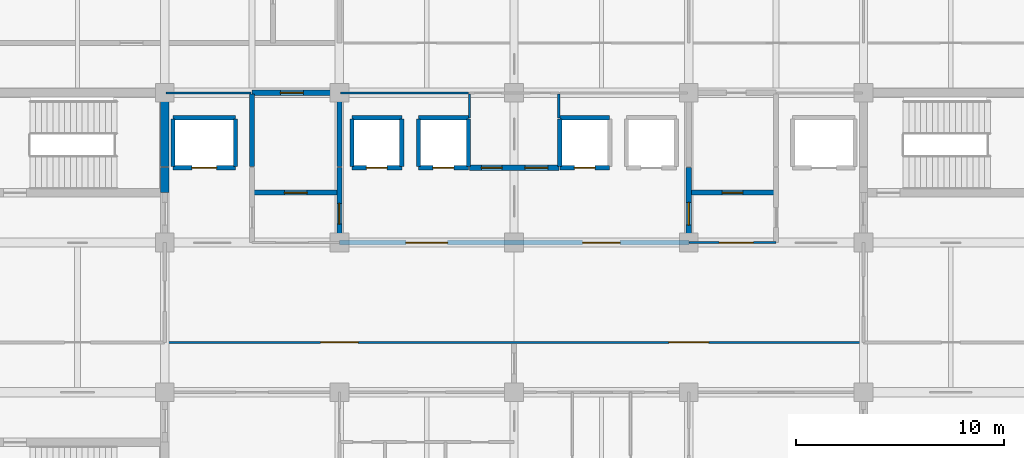
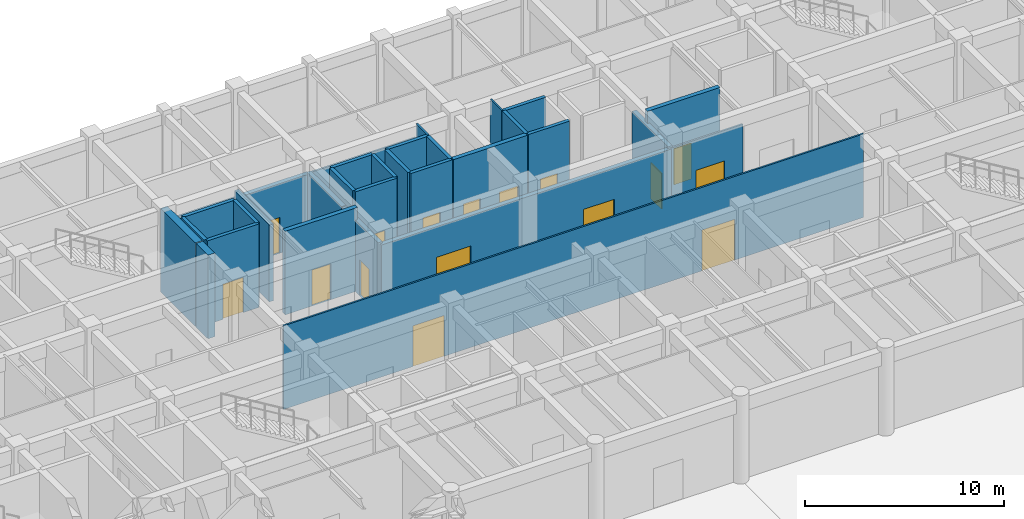
# One storey, part 50 of 73: 32 walls, 16 doors, 16 openings.
"""IFC4 building model written with IfcOpenShell, lengths in metres."""

import ifcopenshell
import ifcopenshell.guid

model = None  # the IFC model being written
_history = None  # IfcOwnerHistory: only IFC2X3 demands one
_inside = {}  # id of a spatial element -> (the spatial element, [elements in it])
_under = {}  # id of a project, library or spatial element -> (it, [spatial elements below it])
_declared = {}  # id of a project -> (the project, [libraries it declares])
_typed = {}  # id of a type object -> (the type object, [elements of that type])
_made_of = {}  # id of a material, layer set ... -> (it, [elements and type objects made of it])


def new_model(schema):
    """Start an empty IFC model of exactly this schema.

    Asked for "IFC4X3", IfcOpenShell would pick the latest addendum, in which some entities
    have other attributes; the version numbers below select the first issue.
    IFC2X3 requires an IfcOwnerHistory on every rooted entity: one is made here for all.
    """
    global model, _history
    if schema == "IFC4X3":
        model = ifcopenshell.file(schema_version=(4, 3, 0, 0))
    else:
        model = ifcopenshell.file(schema=schema)
    _inside.clear()
    _under.clear()
    _declared.clear()
    _typed.clear()
    _made_of.clear()
    _history = None
    if model.schema == "IFC2X3":
        org = make("IfcOrganization", Name="unknown")
        user = make(
            "IfcPersonAndOrganization",
            ThePerson=make("IfcPerson", FamilyName="unknown"),
            TheOrganization=org,
        )
        app = make(
            "IfcApplication",
            ApplicationDeveloper=org,
            Version="unknown",
            ApplicationFullName="unknown",
            ApplicationIdentifier="unknown",
        )
        _history = make(
            "IfcOwnerHistory",
            OwningUser=user,
            OwningApplication=app,
            ChangeAction="ADDED",
            CreationDate=0,
        )
    return model


def make(cls, **values):
    """One entity of the class cls with the attributes given. An attribute that is None is left unset."""
    return model.create_entity(
        cls, **{name: value for name, value in values.items() if value is not None}
    )


def rooted(cls, **values):
    """An entity with a GlobalId (a new one), such as an element, a storey or a relation."""
    return make(cls, GlobalId=ifcopenshell.guid.new(), OwnerHistory=_history, **values)


def si_unit(unit_type, name, prefix=None):
    """IfcSIUnit, for example si_unit("LENGTHUNIT", "METRE", prefix="MILLI")."""
    return make("IfcSIUnit", UnitType=unit_type, Prefix=prefix, Name=name)


def assignment(units):
    """IfcUnitAssignment: the units of a project."""
    return None if units is None else make("IfcUnitAssignment", Units=units)


def point(xyz):
    """IfcCartesianPoint."""
    return None if xyz is None else make("IfcCartesianPoint", Coordinates=xyz)


def direction(xyz):
    """IfcDirection."""
    return None if xyz is None else make("IfcDirection", DirectionRatios=xyz)


def frame(location, z_axis=None, x_axis=None):
    """IfcAxis2Placement3D, a coordinate frame: its origin and axes. An axis left out is left unset."""
    return make(
        "IfcAxis2Placement3D",
        Location=point(location),
        Axis=direction(z_axis),
        RefDirection=direction(x_axis),
    )


def frame_2d(location, x_axis=None):
    """IfcAxis2Placement2D, a coordinate frame in the plane: its origin and x axis."""
    return make(
        "IfcAxis2Placement2D", Location=point(location), RefDirection=direction(x_axis)
    )


def origin():
    """The frame at (0, 0, 0) with its axes left unset."""
    return frame((0.0, 0.0, 0.0))


def place(relative_to, where):
    """IfcLocalPlacement: puts the frame where relative to a parent placement (None: the world)."""
    return make(
        "IfcLocalPlacement", PlacementRelTo=relative_to, RelativePlacement=where
    )


def context(
    kind, dimensions, precision=None, world=None, true_north=None, identifier=None
):
    """IfcGeometricRepresentationContext, for example the 3D "Model" context."""
    return make(
        "IfcGeometricRepresentationContext",
        ContextIdentifier=identifier,
        ContextType=kind,
        CoordinateSpaceDimension=dimensions,
        Precision=precision,
        WorldCoordinateSystem=world,
        TrueNorth=true_north,
    )


def subcontext(parent, identifier, kind, view, scale=None):
    """IfcGeometricRepresentationSubContext, for example "Body" below "Model"."""
    return make(
        "IfcGeometricRepresentationSubContext",
        ContextIdentifier=identifier,
        ContextType=kind,
        ParentContext=parent,
        TargetScale=scale,
        TargetView=view,
    )


def project(units=None, contexts=None):
    """IfcProject with its units and contexts."""
    return rooted(
        "IfcProject",
        Name="project",
        RepresentationContexts=contexts,
        UnitsInContext=assignment(units),
    )


def spatial(cls, under=None, at=None, **own):
    """A site, building, storey or space (cls), placed at a placement, below another one or the project."""
    s = rooted(cls, ObjectPlacement=at, **own)
    if under is not None:
        _under.setdefault(under.id(), (under, []))[1].append(s)
    return s


def profile(cls, at=None, kind="AREA", **sizes):
    """A parametric profile (cls). Its sizes go by their IFC names, for example OverallWidth=200.0."""
    return make(cls, ProfileType=kind, Position=at, **sizes)


def rectangle(**sizes):
    """IfcRectangleProfileDef."""
    return profile("IfcRectangleProfileDef", **sizes)


def extrude(swept, where, along, depth):
    """IfcExtrudedAreaSolid: the profile swept, set in the frame where, extruded along a direction by depth."""
    return make(
        "IfcExtrudedAreaSolid",
        SweptArea=swept,
        Position=where,
        ExtrudedDirection=direction(along),
        Depth=depth,
    )


def shape(context_of_items, identifier, shape_type, items):
    """IfcShapeRepresentation: the items that make up one representation, for example the "Body"."""
    return make(
        "IfcShapeRepresentation",
        ContextOfItems=context_of_items,
        RepresentationIdentifier=identifier,
        RepresentationType=shape_type,
        Items=items,
    )


def material(Name=None, Category=None):
    """IfcMaterial."""
    return make("IfcMaterial", Name=Name, Category=Category)


def layer(
    of_material, thickness, ventilated=None, Name=None, Category=None, Priority=None
):
    """IfcMaterialLayer: one layer of a wall or slab, of a material (None: an air gap)."""
    return make(
        "IfcMaterialLayer",
        Material=of_material,
        LayerThickness=thickness,
        IsVentilated=ventilated,
        Name=Name,
        Category=Category,
        Priority=Priority,
    )


def layer_set(layers, Name=None):
    """IfcMaterialLayerSet."""
    return make("IfcMaterialLayerSet", MaterialLayers=layers, LayerSetName=Name)


def made_of(thing, what):
    """Note that an element or type object is made of a material, layer set ...; save() writes the relation."""
    if what is not None:
        _made_of.setdefault(what.id(), (what, []))[1].append(thing)
    return thing


def type_object(cls, material=None, **own):
    """A type object (cls), such as IfcWallType, which elements share."""
    return made_of(rooted(cls, **own), material)


def element(
    cls,
    number,
    at=None,
    inside=None,
    cuts=None,
    type_object=None,
    material=None,
    context=None,
    identifier="Body",
    shape_type=None,
    held_by="IfcProductDefinitionShape",
    body=None,
    shapes=None,
    **own,
):
    """One element of the class cls, such as IfcWall. Its Tag is "e" and its number.

    at: its placement. inside: the storey or other place that contains it. cuts: it is an
    opening in that element (IfcRelVoidsElement). A single representation is given by context,
    identifier, shape_type and body (its items); several are given by shapes. held_by: the class
    of the entity that holds the representations. save() writes the other relations.
    """
    e = rooted(cls, Tag="e%d" % number, ObjectPlacement=at, **own)
    if body is not None:
        shapes = [shape(context, identifier, shape_type, body)]
    if shapes is not None:
        e.Representation = make(held_by, Representations=shapes)
    if inside is not None:
        _inside.setdefault(inside.id(), (inside, []))[1].append(e)
    if cuts is not None:
        rooted(
            "IfcRelVoidsElement", RelatingBuildingElement=cuts, RelatedOpeningElement=e
        )
    if type_object is not None:
        _typed.setdefault(type_object.id(), (type_object, []))[1].append(e)
    return made_of(e, material)


def fill(opening, filler):
    """IfcRelFillsElement: the door or window that sits in an opening."""
    return rooted(
        "IfcRelFillsElement",
        RelatingOpeningElement=opening,
        RelatedBuildingElement=filler,
    )


def aggregate(whole, parts):
    """IfcRelAggregates: a whole, such as a stair, and the parts it consists of."""
    return rooted("IfcRelAggregates", RelatingObject=whole, RelatedObjects=parts)


def save(model, path):
    """Write the relations noted so far, then the file.

    IfcRelAggregates (storeys below a building ...), IfcRelContainedInSpatialStructure (elements
    in a storey), IfcRelDefinesByType, IfcRelAssociatesMaterial and IfcRelDeclares: one each for
    every whole, place, type object, material and project.
    """
    for whole, parts in _under.values():
        aggregate(whole, parts)
    for where, things in _inside.values():
        rooted(
            "IfcRelContainedInSpatialStructure",
            RelatedElements=things,
            RelatingStructure=where,
        )
    for kind, things in _typed.values():
        rooted("IfcRelDefinesByType", RelatedObjects=things, RelatingType=kind)
    for what, things in _made_of.values():
        rooted("IfcRelAssociatesMaterial", RelatedObjects=things, RelatingMaterial=what)
    for by, libraries in _declared.values():
        rooted("IfcRelDeclares", RelatingContext=by, RelatedDefinitions=libraries)
    model.write(path)


model = new_model("IFC4")

# Units and contexts
model_context = context("Model", 3, precision=1e-05, world=origin(), true_north=direction((0.0, 1.0)))
body_context = subcontext(model_context, "Body", "Model", "MODEL_VIEW")
ifc_project = project(units=[si_unit("LENGTHUNIT", "METRE"), si_unit("AREAUNIT", "SQUARE_METRE"), si_unit("VOLUMEUNIT", "CUBIC_METRE"), si_unit("PLANEANGLEUNIT", "RADIAN"), si_unit("MASSUNIT", "GRAM", prefix="KILO")], contexts=[model_context])

# Site, building, storey
site_placement = place(None, origin())
site = spatial("IfcSite", under=ifc_project, at=site_placement, CompositionType="ELEMENT")
building_placement = place(site_placement, origin())
building = spatial("IfcBuilding", under=site, at=building_placement, Name="Chengyuan Square Courthouse", CompositionType="ELEMENT")
storey_placement = place(building_placement, origin())
storey = spatial("IfcBuildingStorey", under=building, at=storey_placement, Name="L01", CompositionType="ELEMENT", Elevation=0.0)

# Wall, openings, doors
ifc_material_1 = material(Name="Concrete C40", Category="concrete")
ifc_layer_1 = layer(ifc_material_1, 0.25)
ifc_layer_set_1 = layer_set([ifc_layer_1], Name="Concrete C40")
wall_type_1 = type_object("IfcWallType", Name="WL-FW1", PredefinedType="STANDARD", material=ifc_layer_set_1)
wall_1_placement = place(storey_placement, frame((75.60009765625, 100.800048828125, 0.0), z_axis=(0.0, 0.0, 1.0), x_axis=(1.0, 0.0, 0.0)))
wall_1 = element("IfcWall", 1, at=wall_1_placement, inside=storey, type_object=wall_type_1, Name="Interior Wall WL-L01-I759", PredefinedType="STANDARD", context=body_context, shape_type="SweptSolid", body=[
    extrude(rectangle(XDim=16.7998046875, YDim=0.25, at=frame_2d((8.39990234375, 0.0))), origin(), (0.0, 0.0, 1.0), 4.27001953125),
])
opening_1_placement = place(wall_1_placement, frame((3.199951171875, 0.0, 0.0)))
opening_1 = element("IfcOpeningElement", 2, at=opening_1_placement, cuts=wall_1, Name="Opening DR-734", PredefinedType="OPENING", context=body_context, shape_type="SweptSolid", body=[
    extrude(rectangle(XDim=2.0, YDim=2.39990234375, at=frame_2d((1.0, 1.199951171875))), frame((0.0, 0.136962890625, 0.0), z_axis=(0.0, -1.0, 0.0), x_axis=(1.0, 0.0, 0.0)), (0.0, 0.0, 1.0), 0.27392578125),
])
opening_2_placement = place(wall_1_placement, frame((11.699951171875, 0.0, 0.0)))
opening_2 = element("IfcOpeningElement", 3, at=opening_2_placement, cuts=wall_1, Name="Opening DR-736", PredefinedType="OPENING", context=body_context, shape_type="SweptSolid", body=[
    extrude(rectangle(XDim=1.800048828125, YDim=2.35009765625, at=frame_2d((0.89990234375, 1.175048828125))), frame((0.0, 0.136962890625, 0.0), z_axis=(0.0, -1.0, 0.0), x_axis=(1.0, 0.0, 0.0)), (0.0, 0.0, 1.0), 0.27392578125),
])
ifc_material_2 = material(Name="Steel Q235B Glazed Fire Door", Category="steel")
door_type_1 = type_object("IfcDoorType", Name="DT-18", OperationType="DOUBLE_DOOR_SINGLE_SWING", PredefinedType="DOOR", material=ifc_material_2)
door_1_placement = place(opening_2_placement, frame((1.800048828125, 0.0, 0.0), z_axis=(0.0, 0.0, 1.0), x_axis=(-1.0, 0.0, 0.0)))
door_1 = element("IfcDoor", 4, at=door_1_placement, inside=storey, type_object=door_type_1, Name="Interior Door DR-736", OperationType="DOUBLE_DOOR_SINGLE_SWING", OverallHeight=2.35009765625, OverallWidth=1.800048828125, PredefinedType="DOOR", context=body_context, shape_type="SweptSolid", body=[
    extrude(rectangle(XDim=1.800048828125, YDim=2.35009765625, at=frame_2d((0.89990234375, 1.175048828125))), frame((0.0, 0.02490234375, 0.0), z_axis=(0.0, -1.0, 0.0), x_axis=(1.0, 0.0, 0.0)), (0.0, 0.0, 1.0), 0.050048828125),
])
fill(opening_2, door_1)
door_type_2 = type_object("IfcDoorType", Name="DT-20", OperationType="DOUBLE_DOOR_SINGLE_SWING", PredefinedType="DOOR", material=ifc_material_2)
door_2_placement = place(opening_1_placement, frame((2.0, 0.0, 0.0), z_axis=(0.0, 0.0, 1.0), x_axis=(-1.0, 0.0, 0.0)))
door_2 = element("IfcDoor", 5, at=door_2_placement, inside=storey, type_object=door_type_2, Name="Interior Door DR-734", OperationType="DOUBLE_DOOR_SINGLE_SWING", OverallHeight=2.39990234375, OverallWidth=2.0, PredefinedType="DOOR", context=body_context, shape_type="SweptSolid", body=[
    extrude(rectangle(XDim=2.0, YDim=2.39990234375, at=frame_2d((1.0, 1.199951171875))), frame((0.0, 0.02490234375, 0.0), z_axis=(0.0, -1.0, 0.0), x_axis=(1.0, 0.0, 0.0)), (0.0, 0.0, 1.0), 0.050048828125),
])
fill(opening_1, door_2)

# Wall, opening, door
wall_2_placement = place(storey_placement, frame((71.39990234375, 103.199951171875, 0.0), z_axis=(0.0, 0.0, 1.0), x_axis=(1.0, 0.0, 0.0)))
wall_2 = element("IfcWall", 6, at=wall_2_placement, inside=storey, type_object=wall_type_1, Name="Interior Wall WL-L01-I775", PredefinedType="STANDARD", context=body_context, shape_type="SweptSolid", body=[
    extrude(rectangle(XDim=4.2001953125, YDim=0.25, at=frame_2d((2.10009765625, 0.0))), origin(), (0.0, 0.0, 1.0), 5.1201171875),
])
opening_3_placement = place(wall_2_placement, frame((1.550048828125, 0.0, 0.0)))
opening_3 = element("IfcOpeningElement", 7, at=opening_3_placement, cuts=wall_2, Name="Opening DR-713", PredefinedType="OPENING", context=body_context, shape_type="SweptSolid", body=[
    extrude(rectangle(XDim=1.10009765625, YDim=2.199951171875, at=frame_2d((0.550048828125, 1.10009765625))), frame((0.0, 0.136962890625, 0.0), z_axis=(0.0, -1.0, 0.0), x_axis=(1.0, 0.0, 0.0)), (0.0, 0.0, 1.0), 0.27392578125),
])
ifc_material_3 = material(Name="Steel Q235B Fire Door", Category="steel")
door_type_3 = type_object("IfcDoorType", Name="DT-10", OperationType="NOTDEFINED", PredefinedType="DOOR", material=ifc_material_3)
door_3_placement = place(opening_3_placement, origin())
door_3 = element("IfcDoor", 8, at=door_3_placement, inside=storey, type_object=door_type_3, Name="Interior Door DR-713", OperationType="SINGLE_SWING_LEFT", OverallHeight=2.199951171875, OverallWidth=1.10009765625, PredefinedType="DOOR", context=body_context, shape_type="SweptSolid", body=[
    extrude(rectangle(XDim=1.10009765625, YDim=2.199951171875, at=frame_2d((0.550048828125, 1.10009765625))), frame((0.0, 0.02490234375, 0.0), z_axis=(0.0, -1.0, 0.0), x_axis=(1.0, 0.0, 0.0)), (0.0, 0.0, 1.0), 0.050048828125),
])
fill(opening_3, door_3)

wall_3_placement = place(storey_placement, frame((92.39990234375, 103.199951171875, 0.0), z_axis=(0.0, 0.0, 1.0), x_axis=(1.0, 0.0, 0.0)))
wall_3 = element("IfcWall", 9, at=wall_3_placement, inside=storey, type_object=wall_type_1, Name="Interior Wall WL-L01-I776", PredefinedType="STANDARD", context=body_context, shape_type="SweptSolid", body=[
    extrude(rectangle(XDim=4.2001953125, YDim=0.25, at=frame_2d((2.10009765625, 0.0))), origin(), (0.0, 0.0, 1.0), 5.1201171875),
])
opening_4_placement = place(wall_3_placement, frame((1.60009765625, 0.0, 0.0)))
opening_4 = element("IfcOpeningElement", 10, at=opening_4_placement, cuts=wall_3, Name="Opening DR-717", PredefinedType="OPENING", context=body_context, shape_type="SweptSolid", body=[
    extrude(rectangle(XDim=1.0, YDim=2.199951171875, at=frame_2d((0.5, 1.10009765625))), frame((0.0, 0.136962890625, 0.0), z_axis=(0.0, -1.0, 0.0), x_axis=(1.0, 0.0, 0.0)), (0.0, 0.0, 1.0), 0.27392578125),
])
door_type_4 = type_object("IfcDoorType", Name="DT-11", OperationType="NOTDEFINED", PredefinedType="DOOR", material=ifc_material_3)
door_4_placement = place(opening_4_placement, origin())
door_4 = element("IfcDoor", 11, at=door_4_placement, inside=storey, type_object=door_type_4, Name="Interior Door DR-717", OperationType="SINGLE_SWING_RIGHT", OverallHeight=2.199951171875, OverallWidth=1.0, PredefinedType="DOOR", context=body_context, shape_type="SweptSolid", body=[
    extrude(rectangle(XDim=1.0, YDim=2.199951171875, at=frame_2d((0.5, 1.10009765625))), frame((0.0, 0.02490234375, 0.0), z_axis=(0.0, -1.0, 0.0), x_axis=(1.0, 0.0, 0.0)), (0.0, 0.0, 1.0), 0.050048828125),
])
fill(opening_4, door_4)

# Wall, openings, doors
wall_4_placement = place(storey_placement, frame((81.85009765625, 104.39990234375, 0.0), z_axis=(0.0, 0.0, 1.0), x_axis=(1.0, 0.0, 0.0)))
wall_4 = element("IfcWall", 12, at=wall_4_placement, inside=storey, type_object=wall_type_1, Name="Interior Wall WL-L01-I787", PredefinedType="STANDARD", context=body_context, shape_type="SweptSolid", body=[
    extrude(rectangle(XDim=4.2998046875, YDim=0.25, at=frame_2d((2.14990234375, 0.0))), origin(), (0.0, 0.0, 1.0), 5.1201171875),
])
opening_5_placement = place(wall_4_placement, frame((0.574951171875, 0.0, 0.0)))
opening_5 = element("IfcOpeningElement", 13, at=opening_5_placement, cuts=wall_4, Name="Opening DR-735", PredefinedType="OPENING", context=body_context, shape_type="SweptSolid", body=[
    extrude(rectangle(XDim=1.0, YDim=2.199951171875, at=frame_2d((0.5, 1.10009765625))), frame((0.0, 0.136962890625, 0.0), z_axis=(0.0, -1.0, 0.0), x_axis=(1.0, 0.0, 0.0)), (0.0, 0.0, 1.0), 0.27392578125),
])
opening_6_placement = place(wall_4_placement, frame((2.675048828125, 0.0, 0.0)))
opening_6 = element("IfcOpeningElement", 14, at=opening_6_placement, cuts=wall_4, Name="Opening DR-737", PredefinedType="OPENING", context=body_context, shape_type="SweptSolid", body=[
    extrude(rectangle(XDim=1.10009765625, YDim=2.199951171875, at=frame_2d((0.550048828125, 1.10009765625))), frame((0.0, 0.136962890625, 0.0), z_axis=(0.0, -1.0, 0.0), x_axis=(1.0, 0.0, 0.0)), (0.0, 0.0, 1.0), 0.27392578125),
])
door_5_placement = place(opening_6_placement, origin())
door_5 = element("IfcDoor", 15, at=door_5_placement, inside=storey, type_object=door_type_3, Name="Interior Door DR-737", OperationType="SINGLE_SWING_LEFT", OverallHeight=2.199951171875, OverallWidth=1.10009765625, PredefinedType="DOOR", context=body_context, shape_type="SweptSolid", body=[
    extrude(rectangle(XDim=1.10009765625, YDim=2.199951171875, at=frame_2d((0.550048828125, 1.10009765625))), frame((0.0, 0.02490234375, 0.0), z_axis=(0.0, -1.0, 0.0), x_axis=(1.0, 0.0, 0.0)), (0.0, 0.0, 1.0), 0.050048828125),
])
fill(opening_6, door_5)
door_6_placement = place(opening_5_placement, origin())
door_6 = element("IfcDoor", 16, at=door_6_placement, inside=storey, type_object=door_type_4, Name="Interior Door DR-735", OperationType="SINGLE_SWING_RIGHT", OverallHeight=2.199951171875, OverallWidth=1.0, PredefinedType="DOOR", context=body_context, shape_type="SweptSolid", body=[
    extrude(rectangle(XDim=1.0, YDim=2.199951171875, at=frame_2d((0.5, 1.10009765625))), frame((0.0, 0.02490234375, 0.0), z_axis=(0.0, -1.0, 0.0), x_axis=(1.0, 0.0, 0.0)), (0.0, 0.0, 1.0), 0.050048828125),
])
fill(opening_5, door_6)

# Wall, opening, door
wall_5_placement = place(storey_placement, frame((71.39990234375, 108.0, 0.0), z_axis=(0.0, 0.0, 1.0), x_axis=(1.0, 0.0, 0.0)))
wall_5 = element("IfcWall", 17, at=wall_5_placement, inside=storey, type_object=wall_type_1, Name="Interior Wall WL-L01-I808", PredefinedType="STANDARD", context=body_context, shape_type="SweptSolid", body=[
    extrude(rectangle(XDim=4.2001953125, YDim=0.25, at=frame_2d((2.10009765625, 0.0))), origin(), (0.0, 0.0, 1.0), 4.27001953125),
])
opening_7_placement = place(wall_5_placement, frame((1.364990234375, 0.0, 0.0)))
opening_7 = element("IfcOpeningElement", 18, at=opening_7_placement, cuts=wall_5, Name="Opening DR-716", PredefinedType="OPENING", context=body_context, shape_type="SweptSolid", body=[
    extrude(rectangle(XDim=1.10009765625, YDim=2.199951171875, at=frame_2d((0.550048828125, 1.10009765625))), frame((0.0, 0.136962890625, 0.0), z_axis=(0.0, -1.0, 0.0), x_axis=(1.0, 0.0, 0.0)), (0.0, 0.0, 1.0), 0.27392578125),
])
door_7_placement = place(opening_7_placement, origin())
door_7 = element("IfcDoor", 19, at=door_7_placement, inside=storey, type_object=door_type_3, Name="Interior Door DR-716", OperationType="SINGLE_SWING_LEFT", OverallHeight=2.199951171875, OverallWidth=1.10009765625, PredefinedType="DOOR", context=body_context, shape_type="SweptSolid", body=[
    extrude(rectangle(XDim=1.10009765625, YDim=2.199951171875, at=frame_2d((0.550048828125, 1.10009765625))), frame((0.0, 0.02490234375, 0.0), z_axis=(0.0, -1.0, 0.0), x_axis=(1.0, 0.0, 0.0)), (0.0, 0.0, 1.0), 0.050048828125),
])
fill(opening_7, door_7)

# Wall
wall_6_placement = place(storey_placement, frame((71.39990234375, 104.449951171875, 0.0), z_axis=(0.0, 0.0, 1.0), x_axis=(0.0, 1.0, 0.0)))
element("IfcWall", 20, at=wall_6_placement, inside=storey, type_object=wall_type_1, Name="Interior Wall WL-L01-I898", PredefinedType="STANDARD", context=body_context, shape_type="SweptSolid", body=[
    extrude(rectangle(XDim=3.5, YDim=0.25, at=frame_2d((1.75, 0.0))), origin(), (0.0, 0.0, 1.0), 4.719970703125),
])

# Wall, opening, door
wall_7_placement = place(storey_placement, frame((75.60009765625, 100.800048828125, 0.0), z_axis=(0.0, 0.0, 1.0), x_axis=(0.0, 1.0, 0.0)))
wall_7 = element("IfcWall", 21, at=wall_7_placement, inside=storey, type_object=wall_type_1, Name="Interior Wall WL-L01-I905", PredefinedType="STANDARD", context=body_context, shape_type="SweptSolid", body=[
    extrude(rectangle(XDim=3.599853515625, YDim=0.25, at=frame_2d((1.7998046875, 0.0))), origin(), (0.0, 0.0, 1.0), 4.3701171875),
])
opening_8_placement = place(wall_7_placement, frame((0.885009765625, 0.0, 0.0)))
opening_8 = element("IfcOpeningElement", 22, at=opening_8_placement, cuts=wall_7, Name="Opening DR-714", PredefinedType="OPENING", context=body_context, shape_type="SweptSolid", body=[
    extrude(rectangle(XDim=1.0, YDim=2.199951171875, at=frame_2d((0.5, 1.10009765625))), frame((0.0, 0.136962890625, 0.0), z_axis=(0.0, -1.0, 0.0), x_axis=(1.0, 0.0, 0.0)), (0.0, 0.0, 1.0), 0.27392578125),
])
door_8_placement = place(opening_8_placement, origin())
door_8 = element("IfcDoor", 23, at=door_8_placement, inside=storey, type_object=door_type_4, Name="Interior Door DR-714", OperationType="SINGLE_SWING_RIGHT", OverallHeight=2.199951171875, OverallWidth=1.0, PredefinedType="DOOR", context=body_context, shape_type="SweptSolid", body=[
    extrude(rectangle(XDim=1.0, YDim=2.199951171875, at=frame_2d((0.5, 1.10009765625))), frame((0.0, 0.02490234375, 0.0), z_axis=(0.0, -1.0, 0.0), x_axis=(1.0, 0.0, 0.0)), (0.0, 0.0, 1.0), 0.050048828125),
])
fill(opening_8, door_8)

# Wall
wall_8_placement = place(storey_placement, frame((75.60009765625, 104.449951171875, 0.0), z_axis=(0.0, 0.0, 1.0), x_axis=(0.0, 1.0, 0.0)))
element("IfcWall", 24, at=wall_8_placement, inside=storey, type_object=wall_type_1, Name="Interior Wall WL-L01-I906", PredefinedType="STANDARD", context=body_context, shape_type="SweptSolid", body=[
    extrude(rectangle(XDim=3.5, YDim=0.25, at=frame_2d((1.75, 0.0))), origin(), (0.0, 0.0, 1.0), 4.3701171875),
])

# Wall, opening, door
wall_9_placement = place(storey_placement, frame((92.39990234375, 100.800048828125, 0.0), z_axis=(0.0, 0.0, 1.0), x_axis=(0.0, 1.0, 0.0)))
wall_9 = element("IfcWall", 25, at=wall_9_placement, inside=storey, type_object=wall_type_1, Name="Interior Wall WL-L01-I926", PredefinedType="STANDARD", context=body_context, shape_type="SweptSolid", body=[
    extrude(rectangle(XDim=3.599853515625, YDim=0.25, at=frame_2d((1.7998046875, 0.0))), origin(), (0.0, 0.0, 1.0), 4.3701171875),
])
opening_9_placement = place(wall_9_placement, frame((0.8349609375, 0.0, 0.0)))
opening_9 = element("IfcOpeningElement", 26, at=opening_9_placement, cuts=wall_9, Name="Opening DR-719", PredefinedType="OPENING", context=body_context, shape_type="SweptSolid", body=[
    extrude(rectangle(XDim=1.10009765625, YDim=2.199951171875, at=frame_2d((0.550048828125, 1.10009765625))), frame((0.0, 0.136962890625, 0.0), z_axis=(0.0, -1.0, 0.0), x_axis=(1.0, 0.0, 0.0)), (0.0, 0.0, 1.0), 0.27392578125),
])
door_9_placement = place(opening_9_placement, origin())
door_9 = element("IfcDoor", 27, at=door_9_placement, inside=storey, type_object=door_type_3, Name="Interior Door DR-719", OperationType="SINGLE_SWING_RIGHT", OverallHeight=2.199951171875, OverallWidth=1.10009765625, PredefinedType="DOOR", context=body_context, shape_type="SweptSolid", body=[
    extrude(rectangle(XDim=1.10009765625, YDim=2.199951171875, at=frame_2d((0.550048828125, 1.10009765625))), frame((0.0, 0.02490234375, 0.0), z_axis=(0.0, -1.0, 0.0), x_axis=(1.0, 0.0, 0.0)), (0.0, 0.0, 1.0), 0.050048828125),
])
fill(opening_9, door_9)

# Wall, openings, doors
ifc_material_4 = material(Name="Gypsum Plasterboard Acoustic Stud Partition")
ifc_layer_2 = layer(ifc_material_4, 0.10009765625)
ifc_layer_set_2 = layer_set([ifc_layer_2], Name="Gypsum Plasterboard Acoustic Stud Partition")
wall_type_2 = type_object("IfcWallType", Name="WL-PT6", PredefinedType="STANDARD", material=ifc_layer_set_2)
wall_10_placement = place(storey_placement, frame((67.199951171875, 96.0, 0.0), z_axis=(0.0, 0.0, 1.0), x_axis=(1.0, 0.0, 0.0)))
wall_10 = element("IfcWall", 28, at=wall_10_placement, inside=storey, type_object=wall_type_2, Name="Interior Wall WL-L01-I741", PredefinedType="STANDARD", context=body_context, shape_type="SweptSolid", body=[
    extrude(rectangle(XDim=33.60009765625, YDim=0.10009765625, at=frame_2d((16.800048828125, 0.0))), origin(), (0.0, 0.0, 1.0), 5.1201171875),
])
opening_10_placement = place(wall_10_placement, frame((7.5, 0.0, 0.0)))
opening_10 = element("IfcOpeningElement", 29, at=opening_10_placement, cuts=wall_10, Name="Opening DR-809", PredefinedType="OPENING", context=body_context, shape_type="SweptSolid", body=[
    extrude(rectangle(XDim=1.800048828125, YDim=2.5, at=frame_2d((0.89990234375, 1.25))), frame((0.0, 0.06201171875, 0.0), z_axis=(0.0, -1.0, 0.0), x_axis=(1.0, 0.0, 0.0)), (0.0, 0.0, 1.0), 0.1240234375),
])
opening_11_placement = place(wall_10_placement, frame((24.25, 0.0, 0.0)))
opening_11 = element("IfcOpeningElement", 30, at=opening_11_placement, cuts=wall_10, Name="Opening DR-814", PredefinedType="OPENING", context=body_context, shape_type="SweptSolid", body=[
    extrude(rectangle(XDim=1.89990234375, YDim=2.5, at=frame_2d((0.949951171875, 1.25))), frame((0.0, 0.06201171875, 0.0), z_axis=(0.0, -1.0, 0.0), x_axis=(1.0, 0.0, 0.0)), (0.0, 0.0, 1.0), 0.1240234375),
])
ifc_material_5 = material(Name="Acoustic Larch Veneer Double Door")
door_type_5 = type_object("IfcDoorType", Name="DT-21", OperationType="DOUBLE_DOOR_SINGLE_SWING", PredefinedType="DOOR", material=ifc_material_5)
door_10_placement = place(opening_10_placement, frame((1.800048828125, 0.0, 0.0), z_axis=(0.0, 0.0, 1.0), x_axis=(-1.0, 0.0, 0.0)))
door_10 = element("IfcDoor", 31, at=door_10_placement, inside=storey, type_object=door_type_5, Name="Interior Door DR-809", OperationType="DOUBLE_DOOR_SINGLE_SWING", OverallHeight=2.5, OverallWidth=1.800048828125, PredefinedType="DOOR", context=body_context, shape_type="SweptSolid", body=[
    extrude(rectangle(XDim=1.800048828125, YDim=2.5, at=frame_2d((0.89990234375, 1.25))), frame((0.0, 0.02490234375, 0.0), z_axis=(0.0, -1.0, 0.0), x_axis=(1.0, 0.0, 0.0)), (0.0, 0.0, 1.0), 0.050048828125),
])
fill(opening_10, door_10)
door_type_6 = type_object("IfcDoorType", Name="DT-26", OperationType="DOUBLE_DOOR_SINGLE_SWING", PredefinedType="DOOR", material=ifc_material_5)
door_11_placement = place(opening_11_placement, frame((1.89990234375, 0.0, 0.0), z_axis=(0.0, 0.0, 1.0), x_axis=(-1.0, 0.0, 0.0)))
door_11 = element("IfcDoor", 32, at=door_11_placement, inside=storey, type_object=door_type_6, Name="Interior Door DR-814", OperationType="DOUBLE_DOOR_SINGLE_SWING", OverallHeight=2.5, OverallWidth=1.89990234375, PredefinedType="DOOR", context=body_context, shape_type="SweptSolid", body=[
    extrude(rectangle(XDim=1.89990234375, YDim=2.5, at=frame_2d((0.949951171875, 1.25))), frame((0.0, 0.02490234375, 0.0), z_axis=(0.0, -1.0, 0.0), x_axis=(1.0, 0.0, 0.0)), (0.0, 0.0, 1.0), 0.050048828125),
])
fill(opening_11, door_11)

# Wall, opening, door
wall_11_placement = place(storey_placement, frame((92.39990234375, 100.800048828125, 0.0), z_axis=(0.0, 0.0, 1.0), x_axis=(1.0, 0.0, 0.0)))
wall_11 = element("IfcWall", 33, at=wall_11_placement, inside=storey, type_object=wall_type_2, Name="Interior Wall WL-L01-I760", PredefinedType="STANDARD", context=body_context, shape_type="SweptSolid", body=[
    extrude(rectangle(XDim=4.2001953125, YDim=0.10009765625, at=frame_2d((2.10009765625, 0.0))), origin(), (0.0, 0.0, 1.0), 4.27001953125),
])
opening_12_placement = place(wall_11_placement, frame((1.4599609375, 0.0, 0.0)))
opening_12 = element("IfcOpeningElement", 34, at=opening_12_placement, cuts=wall_11, Name="Opening DR-720", PredefinedType="OPENING", context=body_context, shape_type="SweptSolid", body=[
    extrude(rectangle(XDim=1.64990234375, YDim=2.39990234375, at=frame_2d((0.824951171875, 1.199951171875))), frame((0.0, 0.06201171875, 0.0), z_axis=(0.0, -1.0, 0.0), x_axis=(1.0, 0.0, 0.0)), (0.0, 0.0, 1.0), 0.1240234375),
])
door_type_7 = type_object("IfcDoorType", Name="DT-22", OperationType="DOUBLE_DOOR_SINGLE_SWING", PredefinedType="DOOR", material=ifc_material_5)
door_12_placement = place(opening_12_placement, frame((1.64990234375, 0.0, 0.0), z_axis=(0.0, 0.0, 1.0), x_axis=(-1.0, 0.0, 0.0)))
door_12 = element("IfcDoor", 35, at=door_12_placement, inside=storey, type_object=door_type_7, Name="Interior Door DR-720", OperationType="DOUBLE_DOOR_SINGLE_SWING", OverallHeight=2.39990234375, OverallWidth=1.64990234375, PredefinedType="DOOR", context=body_context, shape_type="SweptSolid", body=[
    extrude(rectangle(XDim=1.64990234375, YDim=2.39990234375, at=frame_2d((0.824951171875, 1.199951171875))), frame((0.0, 0.02490234375, 0.0), z_axis=(0.0, -1.0, 0.0), x_axis=(1.0, 0.0, 0.0)), (0.0, 0.0, 1.0), 0.050048828125),
])
fill(opening_12, door_12)

# Walls
wall_12_placement = place(storey_placement, frame((67.25, 108.0, 0.0), z_axis=(0.0, 0.0, 1.0), x_axis=(1.0, 0.0, 0.0)))
element("IfcWall", 36, at=wall_12_placement, inside=storey, type_object=wall_type_2, Name="Interior Wall WL-L01-I807", PredefinedType="STANDARD", context=body_context, shape_type="SweptSolid", body=[
    extrude(rectangle(XDim=4.10009765625, YDim=0.10009765625, at=frame_2d((2.050048828125, 0.0))), origin(), (0.0, 0.0, 1.0), 4.27001953125),
])
wall_13_placement = place(storey_placement, frame((75.64990234375, 108.0, 0.0), z_axis=(0.0, 0.0, 1.0), x_axis=(1.0, 0.0, 0.0)))
element("IfcWall", 37, at=wall_13_placement, inside=storey, type_object=wall_type_2, Name="Interior Wall WL-L01-I809", PredefinedType="STANDARD", context=body_context, shape_type="SweptSolid", body=[
    extrude(rectangle(XDim=6.150146484375, YDim=0.10009765625, at=frame_2d((3.0751953125, 0.0))), origin(), (0.0, 0.0, 1.0), 4.27001953125),
])
for number, where, z_axis, x_axis, name in (
    (38, (81.85009765625, 106.800048828125, 0.0), (0.0, 0.0, 1.0), (0.0, 1.0, 0.0), "Interior Wall WL-L01-I914"),
    (39, (86.14990234375, 106.800048828125, 0.0), (0.0, 0.0, 1.0), (0.0, 1.0, 0.0), "Interior Wall WL-L01-I917"),
):
    element("IfcWall", number, at=place(storey_placement, frame(where, z_axis=z_axis, x_axis=x_axis)), inside=storey, type_object=wall_type_2, Name=name, PredefinedType="STANDARD", context=body_context, shape_type="SweptSolid", body=[
        extrude(rectangle(XDim=1.14990234375, YDim=0.10009765625, at=frame_2d((0.574951171875, 0.0))), origin(), (0.0, 0.0, 1.0), 5.1201171875),
    ])

# Wall, opening, door
ifc_material_6 = material(Name="Reinforced Masonry Shaft Enclosure", Category="masonry")
ifc_layer_3 = layer(ifc_material_6, 0.199951171875)
ifc_layer_set_3 = layer_set([ifc_layer_3], Name="Reinforced Masonry Shaft Enclosure")
wall_type_3 = type_object("IfcWallType", Name="WL-SH1", PredefinedType="STANDARD", material=ifc_layer_set_3)
wall_14_placement = place(storey_placement, frame((67.60009765625, 104.39990234375, 0.0), z_axis=(0.0, 0.0, 1.0), x_axis=(1.0, 0.0, 0.0)))
wall_14 = element("IfcWall", 40, at=wall_14_placement, inside=storey, type_object=wall_type_3, Name="Interior Wall WL-L01-I784", PredefinedType="STANDARD", context=body_context, shape_type="SweptSolid", body=[
    extrude(rectangle(XDim=3.0, YDim=0.199951171875, at=frame_2d((1.5, 0.0))), origin(), (0.0, 0.0, 1.0), 5.1201171875),
])
opening_13_placement = place(wall_14_placement, frame((0.89990234375, 0.0, 0.0)))
opening_13 = element("IfcOpeningElement", 41, at=opening_13_placement, cuts=wall_14, Name="Opening LD-021", PredefinedType="OPENING", context=body_context, shape_type="SweptSolid", body=[
    extrude(rectangle(XDim=1.199951171875, YDim=2.14990234375, at=frame_2d((0.60009765625, 1.074951171875))), frame((0.0, 0.112060546875, 0.0), z_axis=(0.0, -1.0, 0.0), x_axis=(1.0, 0.0, 0.0)), (0.0, 0.0, 1.0), 0.223876953125),
])
ifc_material_7 = material(Name="Stainless Steel S30408 Lift Landing Door", Category="steel")
door_type_8 = type_object("IfcDoorType", Name="DT-05", OperationType="DOUBLE_DOOR_SLIDING", PredefinedType="DOOR", material=ifc_material_7)
door_13_placement = place(opening_13_placement, origin())
door_13 = element("IfcDoor", 42, at=door_13_placement, inside=storey, type_object=door_type_8, Name="Lift Landing Door LF-F1 L01", OperationType="DOUBLE_DOOR_SLIDING", OverallHeight=2.14990234375, OverallWidth=1.199951171875, PredefinedType="DOOR", context=body_context, shape_type="SweptSolid", body=[
    extrude(rectangle(XDim=1.199951171875, YDim=2.14990234375, at=frame_2d((0.60009765625, 1.074951171875))), frame((0.0, 0.02490234375, 0.0), z_axis=(0.0, -1.0, 0.0), x_axis=(1.0, 0.0, 0.0)), (0.0, 0.0, 1.0), 0.050048828125),
])
fill(opening_13, door_13)

wall_15_placement = place(storey_placement, frame((76.199951171875, 104.39990234375, 0.0), z_axis=(0.0, 0.0, 1.0), x_axis=(1.0, 0.0, 0.0)))
wall_15 = element("IfcWall", 43, at=wall_15_placement, inside=storey, type_object=wall_type_3, Name="Interior Wall WL-L01-I785", PredefinedType="STANDARD", context=body_context, shape_type="SweptSolid", body=[
    extrude(rectangle(XDim=2.400146484375, YDim=0.199951171875, at=frame_2d((1.2001953125, 0.0))), origin(), (0.0, 0.0, 1.0), 5.1201171875),
])
opening_14_placement = place(wall_15_placement, frame((0.699951171875, 0.0, 0.0)))
opening_14 = element("IfcOpeningElement", 44, at=opening_14_placement, cuts=wall_15, Name="Opening LD-025", PredefinedType="OPENING", context=body_context, shape_type="SweptSolid", body=[
    extrude(rectangle(XDim=1.0, YDim=2.14990234375, at=frame_2d((0.5, 1.074951171875))), frame((0.0, 0.112060546875, 0.0), z_axis=(0.0, -1.0, 0.0), x_axis=(1.0, 0.0, 0.0)), (0.0, 0.0, 1.0), 0.223876953125),
])
door_type_9 = type_object("IfcDoorType", Name="DT-07", OperationType="DOUBLE_DOOR_SLIDING", PredefinedType="DOOR", material=ifc_material_7)
door_14_placement = place(opening_14_placement, origin())
door_14 = element("IfcDoor", 45, at=door_14_placement, inside=storey, type_object=door_type_9, Name="Lift Landing Door LF-J1 L01", OperationType="DOUBLE_DOOR_SLIDING", OverallHeight=2.14990234375, OverallWidth=1.0, PredefinedType="DOOR", context=body_context, shape_type="SweptSolid", body=[
    extrude(rectangle(XDim=1.0, YDim=2.14990234375, at=frame_2d((0.5, 1.074951171875))), frame((0.0, 0.02490234375, 0.0), z_axis=(0.0, -1.0, 0.0), x_axis=(1.0, 0.0, 0.0)), (0.0, 0.0, 1.0), 0.050048828125),
])
fill(opening_14, door_14)

wall_16_placement = place(storey_placement, frame((79.39990234375, 104.39990234375, 0.0), z_axis=(0.0, 0.0, 1.0), x_axis=(1.0, 0.0, 0.0)))
wall_16 = element("IfcWall", 46, at=wall_16_placement, inside=storey, type_object=wall_type_3, Name="Interior Wall WL-L01-I786", PredefinedType="STANDARD", context=body_context, shape_type="SweptSolid", body=[
    extrude(rectangle(XDim=2.400146484375, YDim=0.199951171875, at=frame_2d((1.2001953125, 0.0))), origin(), (0.0, 0.0, 1.0), 5.1201171875),
])
opening_15_placement = place(wall_16_placement, frame((0.699951171875, 0.0, 0.0)))
opening_15 = element("IfcOpeningElement", 47, at=opening_15_placement, cuts=wall_16, Name="Opening LD-026", PredefinedType="OPENING", context=body_context, shape_type="SweptSolid", body=[
    extrude(rectangle(XDim=1.0, YDim=2.14990234375, at=frame_2d((0.5, 1.074951171875))), frame((0.0, 0.112060546875, 0.0), z_axis=(0.0, -1.0, 0.0), x_axis=(1.0, 0.0, 0.0)), (0.0, 0.0, 1.0), 0.223876953125),
])
door_15_placement = place(opening_15_placement, origin())
door_15 = element("IfcDoor", 48, at=door_15_placement, inside=storey, type_object=door_type_9, Name="Lift Landing Door LF-J2 L01", OperationType="DOUBLE_DOOR_SLIDING", OverallHeight=2.14990234375, OverallWidth=1.0, PredefinedType="DOOR", context=body_context, shape_type="SweptSolid", body=[
    extrude(rectangle(XDim=1.0, YDim=2.14990234375, at=frame_2d((0.5, 1.074951171875))), frame((0.0, 0.02490234375, 0.0), z_axis=(0.0, -1.0, 0.0), x_axis=(1.0, 0.0, 0.0)), (0.0, 0.0, 1.0), 0.050048828125),
])
fill(opening_15, door_15)

wall_17_placement = place(storey_placement, frame((86.199951171875, 104.39990234375, 0.0), z_axis=(0.0, 0.0, 1.0), x_axis=(1.0, 0.0, 0.0)))
wall_17 = element("IfcWall", 49, at=wall_17_placement, inside=storey, type_object=wall_type_3, Name="Interior Wall WL-L01-I788", PredefinedType="STANDARD", context=body_context, shape_type="SweptSolid", body=[
    extrude(rectangle(XDim=2.400146484375, YDim=0.199951171875, at=frame_2d((1.2001953125, 0.0))), origin(), (0.0, 0.0, 1.0), 5.1201171875),
])
opening_16_placement = place(wall_17_placement, frame((0.699951171875, 0.0, 0.0)))
opening_16 = element("IfcOpeningElement", 50, at=opening_16_placement, cuts=wall_17, Name="Opening LD-027", PredefinedType="OPENING", context=body_context, shape_type="SweptSolid", body=[
    extrude(rectangle(XDim=1.0, YDim=2.14990234375, at=frame_2d((0.5, 1.074951171875))), frame((0.0, 0.112060546875, 0.0), z_axis=(0.0, -1.0, 0.0), x_axis=(1.0, 0.0, 0.0)), (0.0, 0.0, 1.0), 0.223876953125),
])
door_16_placement = place(opening_16_placement, origin())
door_16 = element("IfcDoor", 51, at=door_16_placement, inside=storey, type_object=door_type_9, Name="Lift Landing Door LF-J3 L01", OperationType="DOUBLE_DOOR_SLIDING", OverallHeight=2.14990234375, OverallWidth=1.0, PredefinedType="DOOR", context=body_context, shape_type="SweptSolid", body=[
    extrude(rectangle(XDim=1.0, YDim=2.14990234375, at=frame_2d((0.5, 1.074951171875))), frame((0.0, 0.02490234375, 0.0), z_axis=(0.0, -1.0, 0.0), x_axis=(1.0, 0.0, 0.0)), (0.0, 0.0, 1.0), 0.050048828125),
])
fill(opening_16, door_16)

# Walls
wall_18_placement = place(storey_placement, frame((67.60009765625, 106.800048828125, 0.0), z_axis=(0.0, 0.0, 1.0), x_axis=(1.0, 0.0, 0.0)))
element("IfcWall", 52, at=wall_18_placement, inside=storey, type_object=wall_type_3, Name="Interior Wall WL-L01-I796", PredefinedType="STANDARD", context=body_context, shape_type="SweptSolid", body=[
    extrude(rectangle(XDim=3.0, YDim=0.199951171875, at=frame_2d((1.5, 0.0))), origin(), (0.0, 0.0, 1.0), 5.1201171875),
])
for number, where, z_axis, x_axis, name in (
    (53, (76.199951171875, 106.800048828125, 0.0), (0.0, 0.0, 1.0), (1.0, 0.0, 0.0), "Interior Wall WL-L01-I797"),
    (54, (79.39990234375, 106.800048828125, 0.0), (0.0, 0.0, 1.0), (1.0, 0.0, 0.0), "Interior Wall WL-L01-I798"),
    (55, (86.199951171875, 106.800048828125, 0.0), (0.0, 0.0, 1.0), (1.0, 0.0, 0.0), "Interior Wall WL-L01-I799"),
):
    element("IfcWall", number, at=place(storey_placement, frame(where, z_axis=z_axis, x_axis=x_axis)), inside=storey, type_object=wall_type_3, Name=name, PredefinedType="STANDARD", context=body_context, shape_type="SweptSolid", body=[
        extrude(rectangle(XDim=2.400146484375, YDim=0.199951171875, at=frame_2d((1.2001953125, 0.0))), origin(), (0.0, 0.0, 1.0), 5.1201171875),
    ])
for number, where, z_axis, x_axis, name in (
    (56, (67.60009765625, 104.449951171875, 0.0), (0.0, 0.0, 1.0), (0.0, 1.0, 0.0), "Interior Wall WL-L01-I894"),
    (57, (70.60009765625, 104.449951171875, 0.0), (0.0, 0.0, 1.0), (0.0, 1.0, 0.0), "Interior Wall WL-L01-I896"),
    (58, (76.199951171875, 104.449951171875, 0.0), (0.0, 0.0, 1.0), (0.0, 1.0, 0.0), "Interior Wall WL-L01-I908"),
    (59, (78.60009765625, 104.449951171875, 0.0), (0.0, 0.0, 1.0), (0.0, 1.0, 0.0), "Interior Wall WL-L01-I910"),
    (60, (79.39990234375, 104.449951171875, 0.0), (0.0, 0.0, 1.0), (0.0, 1.0, 0.0), "Interior Wall WL-L01-I911"),
    (61, (81.800048828125, 104.449951171875, 0.0), (0.0, 0.0, 1.0), (0.0, 1.0, 0.0), "Interior Wall WL-L01-I913"),
    (62, (86.199951171875, 104.449951171875, 0.0), (0.0, 0.0, 1.0), (0.0, 1.0, 0.0), "Interior Wall WL-L01-I918"),
):
    element("IfcWall", number, at=place(storey_placement, frame(where, z_axis=z_axis, x_axis=x_axis)), inside=storey, type_object=wall_type_3, Name=name, PredefinedType="STANDARD", context=body_context, shape_type="SweptSolid", body=[
        extrude(rectangle(XDim=2.300048828125, YDim=0.199951171875, at=frame_2d((1.14990234375, 0.0))), origin(), (0.0, 0.0, 1.0), 5.1201171875),
    ])
ifc_material_8 = material(Name="Concrete C50", Category="concrete")
ifc_layer_4 = layer(ifc_material_8, 0.39990234375)
ifc_layer_set_4 = layer_set([ifc_layer_4], Name="Concrete C50")
wall_type_4 = type_object("IfcWallType", Name="WL-SW1", PredefinedType="SHEAR", material=ifc_layer_set_4)
wall_19_placement = place(storey_placement, frame((67.199951171875, 103.199951171875, 0.0), z_axis=(0.0, 0.0, 1.0), x_axis=(0.0, 1.0, 0.0)))
element("IfcWall", 63, at=wall_19_placement, inside=storey, type_object=wall_type_4, Name="Interior Wall WL-L01-I891", PredefinedType="SHEAR", context=body_context, shape_type="SweptSolid", body=[
    extrude(rectangle(XDim=1.199951171875, YDim=0.39990234375, at=frame_2d((0.60009765625, 0.0))), origin(), (0.0, 0.0, 1.0), 5.1201171875),
])
wall_20_placement = place(storey_placement, frame((67.199951171875, 104.449951171875, 0.0), z_axis=(0.0, 0.0, 1.0), x_axis=(0.0, 1.0, 0.0)))
element("IfcWall", 64, at=wall_20_placement, inside=storey, type_object=wall_type_4, Name="Interior Wall WL-L01-I892", PredefinedType="SHEAR", context=body_context, shape_type="SweptSolid", body=[
    extrude(rectangle(XDim=3.5, YDim=0.39990234375, at=frame_2d((1.75, 0.0))), origin(), (0.0, 0.0, 1.0), 5.1201171875),
])

save(model, "model.ifc")
